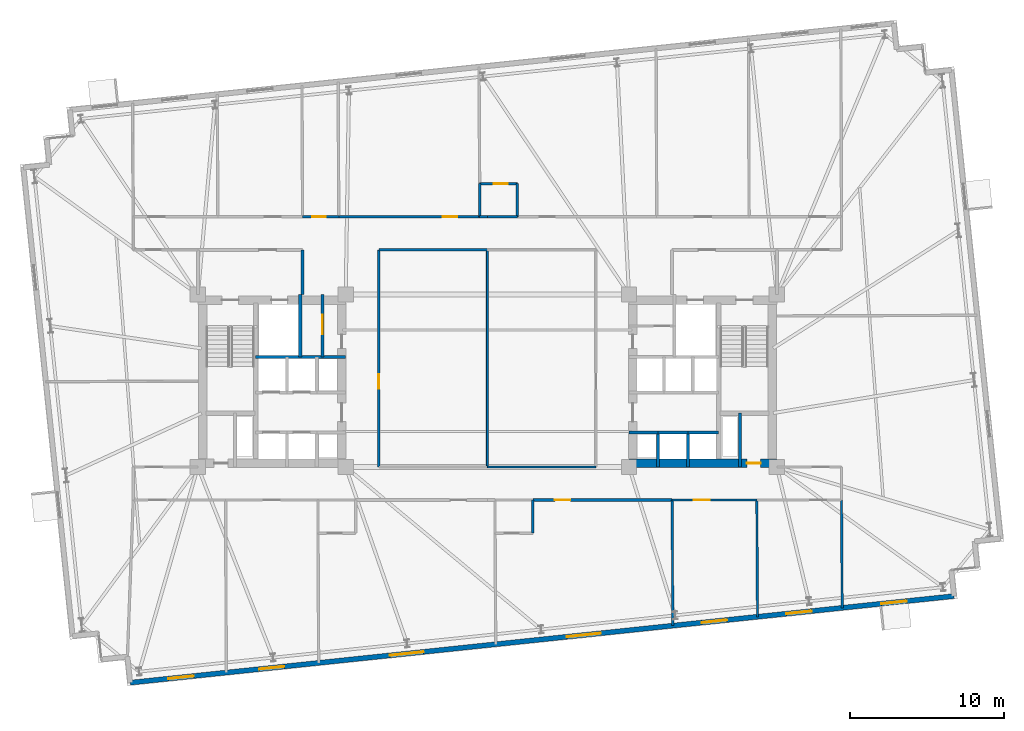
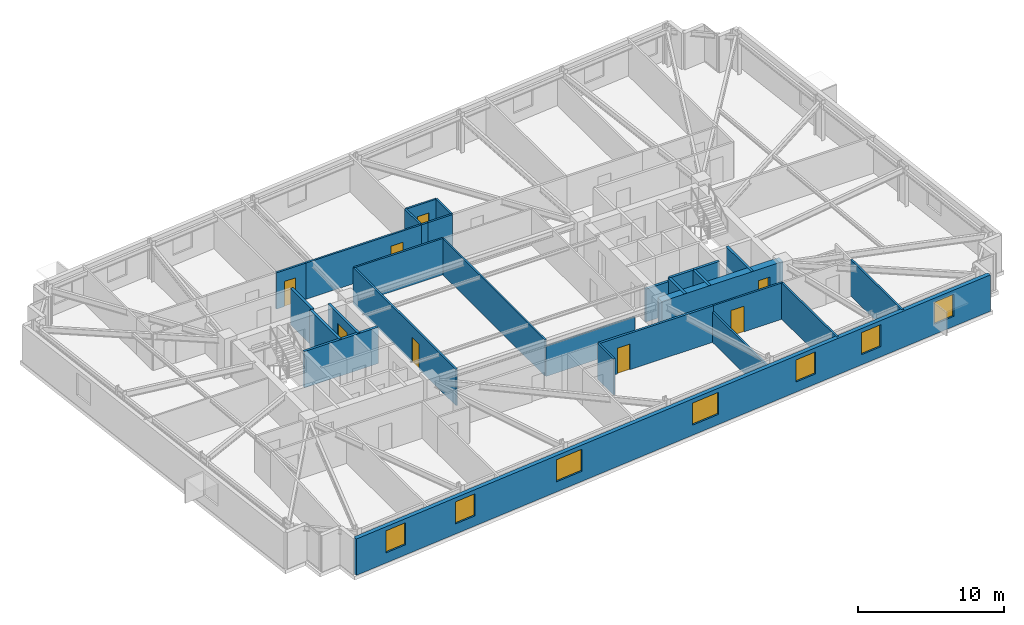
# One storey, part 13 of 17: 29 walls, 8 doors, 7 windows, 15 openings.
"""IFC4 building model written with IfcOpenShell, lengths in metres."""

from ifc_helpers import new_model, si_unit, direction, frame, frame_2d, origin, place, context, subcontext, project, spatial, rectangle, extrude, material, layer, layer_set, type_object, element, fill, save


model = new_model("IFC4")

# Units and contexts
model_context = context("Model", 3, precision=1e-05, world=origin(), true_north=direction((0.0, 1.0)))
body_context = subcontext(model_context, "Body", "Model", "MODEL_VIEW")
ifc_project = project(units=[si_unit("LENGTHUNIT", "METRE"), si_unit("AREAUNIT", "SQUARE_METRE"), si_unit("VOLUMEUNIT", "CUBIC_METRE"), si_unit("PLANEANGLEUNIT", "RADIAN"), si_unit("MASSUNIT", "GRAM", prefix="KILO")], contexts=[model_context])

# Site, building, storey
site_placement = place(None, origin())
site = spatial("IfcSite", under=ifc_project, at=site_placement, CompositionType="ELEMENT")
building_placement = place(site_placement, origin())
building = spatial("IfcBuilding", under=site, at=building_placement, Name="Qobustan Lattice House", CompositionType="ELEMENT")
storey_placement = place(building_placement, frame((0.0, 0.0, 112.5)))
storey = spatial("IfcBuildingStorey", under=building, at=storey_placement, Name="L31", CompositionType="ELEMENT", Elevation=112.5)

# Wall, opening, door
ifc_material_1 = material(Name="Concrete C60/75", Category="concrete")
ifc_layer_1 = layer(ifc_material_1, 0.56005859375)
ifc_layer_set_1 = layer_set([ifc_layer_1], Name="Concrete C60/75")
wall_type_1 = type_object("IfcWallType", Name="WAL-CORE-600", PredefinedType="SHEAR", material=ifc_layer_set_1)
wall_1_placement = place(storey_placement, frame((9.199951171875, -5.35009765625, 0.0), z_axis=(0.0, 0.0, 1.0), x_axis=(1.0, 0.0, 0.0)))
wall_1 = element("IfcWall", 1, at=wall_1_placement, inside=storey, type_object=wall_type_1, Name="L31 split-core shear wall CE-S", PredefinedType="SHEAR", context=body_context, shape_type="SweptSolid", body=[
    extrude(rectangle(XDim=9.60009765625, YDim=0.56005859375, at=frame_2d((4.800048828125, 0.0))), origin(), (0.0, 0.0, 1.0), 3.044921875),
])
opening_1_placement = place(wall_1_placement, frame((7.64990234375, 0.0, 0.0)))
opening_1 = element("IfcOpeningElement", 2, at=opening_1_placement, cuts=wall_1, Name="Opening RD-01", PredefinedType="OPENING", context=body_context, shape_type="SweptSolid", body=[
    extrude(rectangle(XDim=0.89990234375, YDim=2.10009765625, at=frame_2d((0.449951171875, 1.050048828125))), frame((0.0, 0.2900390625, 0.0), z_axis=(0.0, -1.0, 0.0), x_axis=(1.0, 0.0, 0.0)), (0.0, 0.0, 1.0), 0.580078125),
])
ifc_material_2 = material(Name="Persian walnut timber and steel frame door", Category="steel")
door_type_1 = type_object("IfcDoorType", Name="DOR-RISER-FD-900x2100", OperationType="NOTDEFINED", PredefinedType="DOOR", material=ifc_material_2)
door_1_placement = place(opening_1_placement, origin())
door_1 = element("IfcDoor", 3, at=door_1_placement, inside=storey, type_object=door_type_1, Name="L31 core service riser access door E", OperationType="SINGLE_SWING_LEFT", OverallHeight=2.10009765625, OverallWidth=0.89990234375, PredefinedType="DOOR", context=body_context, shape_type="SweptSolid", body=[
    extrude(rectangle(XDim=0.89990234375, YDim=2.10009765625, at=frame_2d((0.449951171875, 1.050048828125))), frame((0.0, 0.02490234375, 0.0), z_axis=(0.0, -1.0, 0.0), x_axis=(1.0, 0.0, 0.0)), (0.0, 0.0, 1.0), 0.050048828125),
])
fill(opening_1, door_1)

# Wall, openings, windows
ifc_material_3 = material(Name="Precast concrete C40/50", Category="concrete")
ifc_layer_2 = layer(ifc_material_3, 0.320068359375)
ifc_layer_set_2 = layer_set([ifc_layer_2], Name="Precast concrete C40/50")
wall_type_2 = type_object("IfcWallType", Name="WAL-EXT-STONE-320", PredefinedType="SOLIDWALL", material=ifc_layer_set_2)
wall_2_placement = place(storey_placement, frame((30.307373046875, -13.985595703125, 0.0), z_axis=(0.0, 0.0, 1.0), x_axis=(-0.994521628355, -0.104531003701, 0.0)))
wall_2 = element("IfcWall", 4, at=wall_2_placement, inside=storey, type_object=wall_type_2, Name="L31 exterior limestone-clad wall 20", PredefinedType="SOLIDWALL", context=body_context, shape_type="SweptSolid", body=[
    extrude(rectangle(XDim=53.800048828125, YDim=0.320068359375, at=frame_2d((26.89990234375, 0.0))), origin(), (0.0, 0.0, 1.0), 3.044921875),
])
opening_2_placement = place(wall_2_placement, frame((3.097900390625, 0.0, 0.85009765625)))
opening_2 = element("IfcOpeningElement", 5, at=opening_2_placement, cuts=wall_2, Name="Opening WN-09", PredefinedType="OPENING", context=body_context, shape_type="SweptSolid", body=[
    extrude(rectangle(XDim=1.64990234375, YDim=1.85009765625, at=frame_2d((0.824951171875, 0.925048828125))), frame((0.0, 0.169921875, 0.0), z_axis=(0.0, -1.0, 0.0), x_axis=(1.0, 0.0, 0.0)), (0.0, 0.0, 1.0), 0.340087890625),
])
opening_3_placement = place(wall_2_placement, frame((9.302490234375, 0.0, 0.85009765625)))
opening_3 = element("IfcOpeningElement", 6, at=opening_3_placement, cuts=wall_2, Name="Opening WN-09", PredefinedType="OPENING", context=body_context, shape_type="SweptSolid", body=[
    extrude(rectangle(XDim=1.64990234375, YDim=1.85009765625, at=frame_2d((0.824951171875, 0.925048828125))), frame((0.0, 0.169921875, 0.0), z_axis=(0.0, -1.0, 0.0), x_axis=(1.0, 0.0, 0.0)), (0.0, 0.0, 1.0), 0.340087890625),
])
opening_4_placement = place(wall_2_placement, frame((14.82666015625, 0.0, 0.85009765625)))
opening_4 = element("IfcOpeningElement", 7, at=opening_4_placement, cuts=wall_2, Name="Opening WN-09", PredefinedType="OPENING", context=body_context, shape_type="SweptSolid", body=[
    extrude(rectangle(XDim=1.64990234375, YDim=1.85009765625, at=frame_2d((0.824951171875, 0.925048828125))), frame((0.0, 0.169921875, 0.0), z_axis=(0.0, -1.0, 0.0), x_axis=(1.0, 0.0, 0.0)), (0.0, 0.0, 1.0), 0.340087890625),
])
opening_5_placement = place(wall_2_placement, frame((23.077880859375, 0.0, 0.85009765625)))
opening_5 = element("IfcOpeningElement", 8, at=opening_5_placement, cuts=wall_2, Name="Opening WN-03", PredefinedType="OPENING", context=body_context, shape_type="SweptSolid", body=[
    extrude(rectangle(XDim=2.199951171875, YDim=1.85009765625, at=frame_2d((1.10009765625, 0.925048828125))), frame((0.0, 0.169921875, 0.0), z_axis=(0.0, -1.0, 0.0), x_axis=(1.0, 0.0, 0.0)), (0.0, 0.0, 1.0), 0.340087890625),
])
opening_6_placement = place(wall_2_placement, frame((34.646484375, 0.0, 0.85009765625)))
opening_6 = element("IfcOpeningElement", 9, at=opening_6_placement, cuts=wall_2, Name="Opening WN-03", PredefinedType="OPENING", context=body_context, shape_type="SweptSolid", body=[
    extrude(rectangle(XDim=2.199951171875, YDim=1.85009765625, at=frame_2d((1.10009765625, 0.925048828125))), frame((0.0, 0.169921875, 0.0), z_axis=(0.0, -1.0, 0.0), x_axis=(1.0, 0.0, 0.0)), (0.0, 0.0, 1.0), 0.340087890625),
])
opening_7_placement = place(wall_2_placement, frame((43.72802734375, 0.0, 0.85009765625)))
opening_7 = element("IfcOpeningElement", 10, at=opening_7_placement, cuts=wall_2, Name="Opening WN-09", PredefinedType="OPENING", context=body_context, shape_type="SweptSolid", body=[
    extrude(rectangle(XDim=1.64990234375, YDim=1.85009765625, at=frame_2d((0.824951171875, 0.925048828125))), frame((0.0, 0.169921875, 0.0), z_axis=(0.0, -1.0, 0.0), x_axis=(1.0, 0.0, 0.0)), (0.0, 0.0, 1.0), 0.340087890625),
])
opening_8_placement = place(wall_2_placement, frame((49.652587890625, 0.0, 0.85009765625)))
opening_8 = element("IfcOpeningElement", 11, at=opening_8_placement, cuts=wall_2, Name="Opening WN-09", PredefinedType="OPENING", context=body_context, shape_type="SweptSolid", body=[
    extrude(rectangle(XDim=1.64990234375, YDim=1.85009765625, at=frame_2d((0.824951171875, 0.925048828125))), frame((0.0, 0.169921875, 0.0), z_axis=(0.0, -1.0, 0.0), x_axis=(1.0, 0.0, 0.0)), (0.0, 0.0, 1.0), 0.340087890625),
])
ifc_material_4 = material(Name="Double-glazed low-E aluminium window", Category="aluminium")
window_type_1 = type_object("IfcWindowType", Name="WIN-STU-1650x1850", PartitioningType="SINGLE_PANEL", PredefinedType="WINDOW", material=ifc_material_4)
window_1_placement = place(opening_2_placement, origin())
window_1 = element("IfcWindow", 12, at=window_1_placement, inside=storey, type_object=window_type_1, Name="L31 Fellows reading room window", OverallHeight=1.85009765625, OverallWidth=1.64990234375, PartitioningType="SINGLE_PANEL", PredefinedType="WINDOW", context=body_context, shape_type="SweptSolid", body=[
    extrude(rectangle(XDim=1.64990234375, YDim=1.85009765625, at=frame_2d((0.824951171875, 0.925048828125))), frame((0.0, 0.030029296875, 0.0), z_axis=(0.0, -1.0, 0.0), x_axis=(1.0, 0.0, 0.0)), (0.0, 0.0, 1.0), 0.06005859375),
])
fill(opening_2, window_1)
window_2_placement = place(opening_3_placement, origin())
window_2 = element("IfcWindow", 13, at=window_2_placement, inside=storey, type_object=window_type_1, Name="L31 Academic seminar room window", OverallHeight=1.85009765625, OverallWidth=1.64990234375, PartitioningType="SINGLE_PANEL", PredefinedType="WINDOW", context=body_context, shape_type="SweptSolid", body=[
    extrude(rectangle(XDim=1.64990234375, YDim=1.85009765625, at=frame_2d((0.824951171875, 0.925048828125))), frame((0.0, 0.030029296875, 0.0), z_axis=(0.0, -1.0, 0.0), x_axis=(1.0, 0.0, 0.0)), (0.0, 0.0, 1.0), 0.06005859375),
])
fill(opening_3, window_2)
window_3_placement = place(opening_4_placement, origin())
window_3 = element("IfcWindow", 14, at=window_3_placement, inside=storey, type_object=window_type_1, Name="L31 Group study room window", OverallHeight=1.85009765625, OverallWidth=1.64990234375, PartitioningType="SINGLE_PANEL", PredefinedType="WINDOW", context=body_context, shape_type="SweptSolid", body=[
    extrude(rectangle(XDim=1.64990234375, YDim=1.85009765625, at=frame_2d((0.824951171875, 0.925048828125))), frame((0.0, 0.030029296875, 0.0), z_axis=(0.0, -1.0, 0.0), x_axis=(1.0, 0.0, 0.0)), (0.0, 0.0, 1.0), 0.06005859375),
])
fill(opening_4, window_3)
window_4_placement = place(opening_7_placement, origin())
window_4 = element("IfcWindow", 15, at=window_4_placement, inside=storey, type_object=window_type_1, Name="L31 Focus study room S1B window", OverallHeight=1.85009765625, OverallWidth=1.64990234375, PartitioningType="SINGLE_PANEL", PredefinedType="WINDOW", context=body_context, shape_type="SweptSolid", body=[
    extrude(rectangle(XDim=1.64990234375, YDim=1.85009765625, at=frame_2d((0.824951171875, 0.925048828125))), frame((0.0, 0.030029296875, 0.0), z_axis=(0.0, -1.0, 0.0), x_axis=(1.0, 0.0, 0.0)), (0.0, 0.0, 1.0), 0.06005859375),
])
fill(opening_7, window_4)
window_5_placement = place(opening_8_placement, origin())
window_5 = element("IfcWindow", 16, at=window_5_placement, inside=storey, type_object=window_type_1, Name="L31 Focus study room S1A window", OverallHeight=1.85009765625, OverallWidth=1.64990234375, PartitioningType="SINGLE_PANEL", PredefinedType="WINDOW", context=body_context, shape_type="SweptSolid", body=[
    extrude(rectangle(XDim=1.64990234375, YDim=1.85009765625, at=frame_2d((0.824951171875, 0.925048828125))), frame((0.0, 0.030029296875, 0.0), z_axis=(0.0, -1.0, 0.0), x_axis=(1.0, 0.0, 0.0)), (0.0, 0.0, 1.0), 0.06005859375),
])
fill(opening_8, window_5)
ifc_material_5 = material(Name="Double-glazed low-E aluminium window", Category="aluminium")
window_type_2 = type_object("IfcWindowType", Name="WIN-WIDE-2200x1850", PartitioningType="SINGLE_PANEL", PredefinedType="WINDOW", material=ifc_material_5)
window_6_placement = place(opening_5_placement, origin())
window_6 = element("IfcWindow", 17, at=window_6_placement, inside=storey, type_object=window_type_2, Name="L31 Kitchenette and studio apartment L31-S3 window", OverallHeight=1.85009765625, OverallWidth=2.199951171875, PartitioningType="SINGLE_PANEL", PredefinedType="WINDOW", context=body_context, shape_type="SweptSolid", body=[
    extrude(rectangle(XDim=2.199951171875, YDim=1.85009765625, at=frame_2d((1.10009765625, 0.925048828125))), frame((0.0, 0.030029296875, 0.0), z_axis=(0.0, -1.0, 0.0), x_axis=(1.0, 0.0, 0.0)), (0.0, 0.0, 1.0), 0.06005859375),
])
fill(opening_5, window_6)
window_7_placement = place(opening_6_placement, origin())
window_7 = element("IfcWindow", 18, at=window_7_placement, inside=storey, type_object=window_type_2, Name="L31 Kitchenette and studio apartment L31-S2 window", OverallHeight=1.85009765625, OverallWidth=2.199951171875, PartitioningType="SINGLE_PANEL", PredefinedType="WINDOW", context=body_context, shape_type="SweptSolid", body=[
    extrude(rectangle(XDim=2.199951171875, YDim=1.85009765625, at=frame_2d((1.10009765625, 0.925048828125))), frame((0.0, 0.030029296875, 0.0), z_axis=(0.0, -1.0, 0.0), x_axis=(1.0, 0.0, 0.0)), (0.0, 0.0, 1.0), 0.06005859375),
])
fill(opening_6, window_7)

# Wall, opening, door
ifc_material_6 = material(Name="Gypsum fireboard acoustic partition", Category="gypsum")
ifc_layer_3 = layer(ifc_material_6, 0.179931640625)
ifc_layer_set_3 = layer_set([ifc_layer_3], Name="Gypsum fireboard acoustic partition")
wall_type_3 = type_object("IfcWallType", Name="WAL-FIRE-180", PredefinedType="PARTITIONING", material=ifc_layer_set_3)
wall_3_placement = place(storey_placement, frame((-10.699951171875, 5.60009765625, 0.0), z_axis=(0.0, 0.0, 1.0), x_axis=(0.0, -1.0, 0.0)))
wall_3 = element("IfcWall", 19, at=wall_3_placement, inside=storey, type_object=wall_type_3, Name="L31 interior partition 6", PredefinedType="PARTITIONING", context=body_context, shape_type="SweptSolid", body=[
    extrude(rectangle(XDim=4.050048828125, YDim=0.179931640625, at=frame_2d((2.02490234375, 0.0))), origin(), (0.0, 0.0, 1.0), 3.044921875),
])
opening_9_placement = place(wall_3_placement, frame((1.324951171875, 0.0, 0.0)))
opening_9 = element("IfcOpeningElement", 20, at=opening_9_placement, cuts=wall_3, Name="Opening FD-03", PredefinedType="OPENING", context=body_context, shape_type="SweptSolid", body=[
    extrude(rectangle(XDim=1.25, YDim=2.199951171875, at=frame_2d((0.625, 1.10009765625))), frame((0.0, 0.099853515625, 0.0), z_axis=(0.0, -1.0, 0.0), x_axis=(1.0, 0.0, 0.0)), (0.0, 0.0, 1.0), 0.199951171875),
])
ifc_material_7 = material(Name="Persian walnut timber and steel frame door", Category="steel")
door_type_2 = type_object("IfcDoorType", Name="DOR-PLANT-1250x2200", OperationType="NOTDEFINED", PredefinedType="DOOR", material=ifc_material_7)
door_2_placement = place(opening_9_placement, origin())
door_2 = element("IfcDoor", 21, at=door_2_placement, inside=storey, type_object=door_type_2, Name="L31 Data comms closet to Linen store door", OperationType="SINGLE_SWING_LEFT", OverallHeight=2.199951171875, OverallWidth=1.25, PredefinedType="DOOR", context=body_context, shape_type="SweptSolid", body=[
    extrude(rectangle(XDim=1.25, YDim=2.199951171875, at=frame_2d((0.625, 1.10009765625))), frame((0.0, 0.02490234375, 0.0), z_axis=(0.0, -1.0, 0.0), x_axis=(1.0, 0.0, 0.0)), (0.0, 0.0, 1.0), 0.050048828125),
])
fill(opening_9, door_2)

wall_4_placement = place(storey_placement, frame((12.0, -7.75, 0.0), z_axis=(0.0, 0.0, 1.0), x_axis=(-1.0, 0.0, 0.0)))
wall_4 = element("IfcWall", 22, at=wall_4_placement, inside=storey, type_object=wall_type_3, Name="L31 interior partition 63", PredefinedType="PARTITIONING", context=body_context, shape_type="SweptSolid", body=[
    extrude(rectangle(XDim=9.050048828125, YDim=0.179931640625, at=frame_2d((4.52490234375, 0.0))), origin(), (0.0, 0.0, 1.0), 3.044921875),
])
opening_10_placement = place(wall_4_placement, frame((6.60888671875, 0.0, 0.0)))
opening_10 = element("IfcOpeningElement", 23, at=opening_10_placement, cuts=wall_4, Name="Opening FD-02", PredefinedType="OPENING", context=body_context, shape_type="SweptSolid", body=[
    extrude(rectangle(XDim=1.0, YDim=2.14990234375, at=frame_2d((0.5, 1.074951171875))), frame((0.0, 0.099853515625, 0.0), z_axis=(0.0, -1.0, 0.0), x_axis=(1.0, 0.0, 0.0)), (0.0, 0.0, 1.0), 0.199951171875),
])
ifc_material_8 = material(Name="Persian walnut timber and steel frame door", Category="steel")
door_type_3 = type_object("IfcDoorType", Name="DOR-UNIT-FD-1000x2150", OperationType="NOTDEFINED", PredefinedType="DOOR", material=ifc_material_8)
door_3_placement = place(opening_10_placement, origin())
door_3 = element("IfcDoor", 24, at=door_3_placement, inside=storey, type_object=door_type_3, Name="L31 South-east floor corridor to Kitchenette and studio apartment L31-S3 door", OperationType="SINGLE_SWING_RIGHT", OverallHeight=2.14990234375, OverallWidth=1.0, PredefinedType="DOOR", context=body_context, shape_type="SweptSolid", body=[
    extrude(rectangle(XDim=1.0, YDim=2.14990234375, at=frame_2d((0.5, 1.074951171875))), frame((0.0, 0.02490234375, 0.0), z_axis=(0.0, -1.0, 0.0), x_axis=(1.0, 0.0, 0.0)), (0.0, 0.0, 1.0), 0.050048828125),
])
fill(opening_10, door_3)

# Walls
ifc_material_9 = material(Name="Lightweight acoustic stud partition", Category="gypsum")
ifc_layer_4 = layer(ifc_material_9, 0.125)
ifc_layer_set_4 = layer_set([ifc_layer_4], Name="Lightweight acoustic stud partition")
wall_type_4 = type_object("IfcWallType", Name="WAL-PART-125", PredefinedType="PARTITIONING", material=ifc_layer_set_4)
wall_5_placement = place(storey_placement, frame((0.0, -5.60009765625, 0.0), z_axis=(0.0, 0.0, 1.0), x_axis=(1.0, 0.0, 0.0)))
element("IfcWall", 25, at=wall_5_placement, inside=storey, type_object=wall_type_4, Name="L31 interior partition 67", PredefinedType="PARTITIONING", context=body_context, shape_type="SweptSolid", body=[
    extrude(rectangle(XDim=7.050048828125, YDim=0.125, at=frame_2d((3.52490234375, 0.0))), origin(), (0.0, 0.0, 1.0), 2.530029296875),
])
wall_6_placement = place(storey_placement, frame((0.0, 8.5, 0.0), z_axis=(0.0, 0.0, 1.0), x_axis=(0.0, -1.0, 0.0)))
element("IfcWall", 26, at=wall_6_placement, inside=storey, type_object=wall_type_4, Name="L31 interior partition 96", PredefinedType="PARTITIONING", context=body_context, shape_type="SweptSolid", body=[
    extrude(rectangle(XDim=14.10009765625, YDim=0.125, at=frame_2d((7.050048828125, 0.0))), origin(), (0.0, 0.0, 1.0), 3.044921875),
])

# Wall, opening, door
ifc_material_10 = material(Name="Acoustic twin-stud gypsum partition", Category="gypsum")
ifc_layer_5 = layer(ifc_material_10, 0.14990234375)
ifc_layer_set_5 = layer_set([ifc_layer_5], Name="Acoustic twin-stud gypsum partition")
wall_type_5 = type_object("IfcWallType", Name="WAL-PART-150", PredefinedType="PARTITIONING", material=ifc_layer_set_5)
wall_7_placement = place(storey_placement, frame((-9.64990234375, 10.64990234375, 0.0), z_axis=(0.0, 0.0, 1.0), x_axis=(1.0, 0.0, 0.0)))
wall_7 = element("IfcWall", 27, at=wall_7_placement, inside=storey, type_object=wall_type_5, Name="L31 interior partition 43", PredefinedType="PARTITIONING", context=body_context, shape_type="SweptSolid", body=[
    extrude(rectangle(XDim=9.14990234375, YDim=0.14990234375, at=frame_2d((4.574951171875, 0.0))), origin(), (0.0, 0.0, 1.0), 3.044921875),
])
opening_11_placement = place(wall_7_placement, frame((6.739990234375, 0.0, 0.0)))
opening_11 = element("IfcOpeningElement", 28, at=opening_11_placement, cuts=wall_7, Name="Opening ID-01", PredefinedType="OPENING", context=body_context, shape_type="SweptSolid", body=[
    extrude(rectangle(XDim=0.949951171875, YDim=2.10009765625, at=frame_2d((0.47509765625, 1.050048828125))), frame((0.0, 0.0849609375, 0.0), z_axis=(0.0, -1.0, 0.0), x_axis=(1.0, 0.0, 0.0)), (0.0, 0.0, 1.0), 0.169921875),
])
ifc_material_11 = material(Name="Persian walnut timber and steel frame door", Category="steel")
door_type_4 = type_object("IfcDoorType", Name="DOR-ROOM-950x2100", OperationType="NOTDEFINED", PredefinedType="DOOR", material=ifc_material_11)
door_4_placement = place(opening_11_placement, origin())
door_4 = element("IfcDoor", 29, at=door_4_placement, inside=storey, type_object=door_type_4, Name="L31 North-west floor corridor to Laundry utility room door", OperationType="SINGLE_SWING_RIGHT", OverallHeight=2.10009765625, OverallWidth=0.949951171875, PredefinedType="DOOR", context=body_context, shape_type="SweptSolid", body=[
    extrude(rectangle(XDim=0.949951171875, YDim=2.10009765625, at=frame_2d((0.47509765625, 1.050048828125))), frame((0.0, 0.02490234375, 0.0), z_axis=(0.0, -1.0, 0.0), x_axis=(1.0, 0.0, 0.0)), (0.0, 0.0, 1.0), 0.050048828125),
])
fill(opening_11, door_4)

# Wall
wall_8_placement = place(storey_placement, frame((0.0, 8.5, 0.0), z_axis=(0.0, 0.0, 1.0), x_axis=(-1.0, 0.0, 0.0)))
element("IfcWall", 30, at=wall_8_placement, inside=storey, type_object=wall_type_5, Name="L31 interior partition 45", PredefinedType="PARTITIONING", context=body_context, shape_type="SweptSolid", body=[
    extrude(rectangle(XDim=7.050048828125, YDim=0.14990234375, at=frame_2d((3.52490234375, 0.0))), origin(), (0.0, 0.0, 1.0), 3.044921875),
])

# Wall, opening, door
wall_9_placement = place(storey_placement, frame((17.5, -7.75, 0.0), z_axis=(0.0, 0.0, 1.0), x_axis=(-1.0, 0.0, 0.0)))
wall_9 = element("IfcWall", 31, at=wall_9_placement, inside=storey, type_object=wall_type_5, Name="L31 interior partition 65", PredefinedType="PARTITIONING", context=body_context, shape_type="SweptSolid", body=[
    extrude(rectangle(XDim=5.5, YDim=0.14990234375, at=frame_2d((2.75, 0.0))), origin(), (0.0, 0.0, 1.0), 3.044921875),
])
opening_12_placement = place(wall_9_placement, frame((3.047607421875, 0.0, 0.0)))
opening_12 = element("IfcOpeningElement", 32, at=opening_12_placement, cuts=wall_9, Name="Opening ID-02", PredefinedType="OPENING", context=body_context, shape_type="SweptSolid", body=[
    extrude(rectangle(XDim=1.050048828125, YDim=2.14990234375, at=frame_2d((0.52490234375, 1.074951171875))), frame((0.0, 0.0849609375, 0.0), z_axis=(0.0, -1.0, 0.0), x_axis=(1.0, 0.0, 0.0)), (0.0, 0.0, 1.0), 0.169921875),
])
ifc_material_12 = material(Name="Persian walnut timber and steel frame door", Category="steel")
door_type_5 = type_object("IfcDoorType", Name="DOR-STUDY-1050x2150", OperationType="NOTDEFINED", PredefinedType="DOOR", material=ifc_material_12)
door_5_placement = place(opening_12_placement, origin())
door_5 = element("IfcDoor", 33, at=door_5_placement, inside=storey, type_object=door_type_5, Name="L31 South-east floor corridor to Group study room door", OperationType="SINGLE_SWING_LEFT", OverallHeight=2.14990234375, OverallWidth=1.050048828125, PredefinedType="DOOR", context=body_context, shape_type="SweptSolid", body=[
    extrude(rectangle(XDim=1.050048828125, YDim=2.14990234375, at=frame_2d((0.52490234375, 1.074951171875))), frame((0.0, 0.02490234375, 0.0), z_axis=(0.0, -1.0, 0.0), x_axis=(1.0, 0.0, 0.0)), (0.0, 0.0, 1.0), 0.050048828125),
])
fill(opening_12, door_5)

wall_10_placement = place(storey_placement, frame((-7.050048828125, 8.5, 0.0), z_axis=(0.0, 0.0, 1.0), x_axis=(0.0, -1.0, 0.0)))
wall_10 = element("IfcWall", 34, at=wall_10_placement, inside=storey, type_object=wall_type_5, Name="L31 interior partition 68", PredefinedType="PARTITIONING", context=body_context, shape_type="SweptSolid", body=[
    extrude(rectangle(XDim=14.10009765625, YDim=0.14990234375, at=frame_2d((7.050048828125, 0.0))), origin(), (0.0, 0.0, 1.0), 3.044921875),
])
opening_13_placement = place(wall_10_placement, frame((8.07373046875, 0.0, 0.0)))
opening_13 = element("IfcOpeningElement", 35, at=opening_13_placement, cuts=wall_10, Name="Opening ID-01", PredefinedType="OPENING", context=body_context, shape_type="SweptSolid", body=[
    extrude(rectangle(XDim=0.949951171875, YDim=2.10009765625, at=frame_2d((0.47509765625, 1.050048828125))), frame((0.0, 0.0849609375, 0.0), z_axis=(0.0, -1.0, 0.0), x_axis=(1.0, 0.0, 0.0)), (0.0, 0.0, 1.0), 0.169921875),
])
door_6_placement = place(opening_13_placement, origin())
door_6 = element("IfcDoor", 36, at=door_6_placement, inside=storey, type_object=door_type_4, Name="L31 West floor link corridor to Design studio workspace door", OperationType="SINGLE_SWING_LEFT", OverallHeight=2.10009765625, OverallWidth=0.949951171875, PredefinedType="DOOR", context=body_context, shape_type="SweptSolid", body=[
    extrude(rectangle(XDim=0.949951171875, YDim=2.10009765625, at=frame_2d((0.47509765625, 1.050048828125))), frame((0.0, 0.02490234375, 0.0), z_axis=(0.0, -1.0, 0.0), x_axis=(1.0, 0.0, 0.0)), (0.0, 0.0, 1.0), 0.050048828125),
])
fill(opening_13, door_6)

# Walls
wall_11_placement = place(storey_placement, frame((23.0439453125, -14.7490234375, 0.0), z_axis=(0.0, 0.0, 1.0), x_axis=(-0.006278653971, 0.999980289058, 0.0)))
element("IfcWall", 37, at=wall_11_placement, inside=storey, type_object=wall_type_5, Name="L31 interior partition 74", PredefinedType="PARTITIONING", context=body_context, shape_type="SweptSolid", body=[
    extrude(rectangle(XDim=6.999267578125, YDim=0.14990234375, at=frame_2d((3.49951171875, 0.0))), origin(), (0.0, 0.0, 1.0), 3.044921875),
])
wall_12_placement = place(storey_placement, frame((12.0, -7.75, 0.0), z_axis=(0.0, 0.0, 1.0), x_axis=(0.005388497987, -0.999985481939, 0.0)))
element("IfcWall", 38, at=wall_12_placement, inside=storey, type_object=wall_type_5, Name="L31 interior partition 94", PredefinedType="PARTITIONING", context=body_context, shape_type="SweptSolid", body=[
    extrude(rectangle(XDim=8.1552734375, YDim=0.14990234375, at=frame_2d((4.07763671875, 0.0))), origin(), (0.0, 0.0, 1.0), 2.530029296875),
])
wall_13_placement = place(storey_placement, frame((17.5, -7.75, 0.0), z_axis=(0.0, 0.0, 1.0), x_axis=(0.005799618919, -0.999983182069, 0.0)))
element("IfcWall", 39, at=wall_13_placement, inside=storey, type_object=wall_type_5, Name="L31 interior partition 95", PredefinedType="PARTITIONING", context=body_context, shape_type="SweptSolid", body=[
    extrude(rectangle(XDim=7.577392578125, YDim=0.14990234375, at=frame_2d((3.78857421875, 0.0))), origin(), (0.0, 0.0, 1.0), 3.044921875),
])
ifc_material_13 = material(Name="Two-hour gypsum fireboard acoustic partition", Category="gypsum")
ifc_layer_6 = layer(ifc_material_13, 0.199951171875)
ifc_layer_set_6 = layer_set([ifc_layer_6], Name="Two-hour gypsum fireboard acoustic partition")
wall_type_6 = type_object("IfcWallType", Name="WAL-PROT-200", PredefinedType="PARTITIONING", material=ifc_layer_set_6)
wall_14_placement = place(storey_placement, frame((-12.0, 5.60009765625, 0.0), z_axis=(0.0, 0.0, 1.0), x_axis=(0.0, 1.0, 0.0)))
element("IfcWall", 40, at=wall_14_placement, inside=storey, type_object=wall_type_6, Name="L31 interior partition 4", PredefinedType="PARTITIONING", context=body_context, shape_type="SweptSolid", body=[
    extrude(rectangle(XDim=2.89990234375, YDim=0.199951171875, at=frame_2d((1.449951171875, 0.0))), origin(), (0.0, 0.0, 1.0), 3.044921875),
])
ifc_material_14 = material(Name="Concrete C40/50", Category="concrete")
ifc_layer_7 = layer(ifc_material_14, 0.199951171875)
ifc_layer_set_7 = layer_set([ifc_layer_7], Name="Concrete C40/50")
wall_type_7 = type_object("IfcWallType", Name="WAL-SHAFT-200", PredefinedType="PARTITIONING", material=ifc_layer_set_7)
wall_15_placement = place(storey_placement, frame((-12.14990234375, 1.550048828125, 0.0), z_axis=(0.0, 0.0, 1.0), x_axis=(0.0, 1.0, 0.0)))
element("IfcWall", 41, at=wall_15_placement, inside=storey, type_object=wall_type_7, Name="L31 interior partition 2", PredefinedType="PARTITIONING", context=body_context, shape_type="SweptSolid", body=[
    extrude(rectangle(XDim=4.050048828125, YDim=0.199951171875, at=frame_2d((2.02490234375, 0.0))), origin(), (0.0, 0.0, 1.0), 3.044921875),
])
wall_16_placement = place(storey_placement, frame((16.39990234375, -2.110107421875, 0.0), z_axis=(0.0, 0.0, 1.0), x_axis=(0.0, -1.0, 0.0)))
element("IfcWall", 42, at=wall_16_placement, inside=storey, type_object=wall_type_7, Name="L31 interior partition 19", PredefinedType="PARTITIONING", context=body_context, shape_type="SweptSolid", body=[
    extrude(rectangle(XDim=3.489990234375, YDim=0.199951171875, at=frame_2d((1.7451171875, 0.0))), origin(), (0.0, 0.0, 1.0), 3.044921875),
])
wall_17_placement = place(storey_placement, frame((9.199951171875, -3.35009765625, 0.0), z_axis=(0.0, 0.0, 1.0), x_axis=(1.0, 0.0, 0.0)))
element("IfcWall", 43, at=wall_17_placement, inside=storey, type_object=wall_type_7, Name="L31 interior partition 27", PredefinedType="PARTITIONING", context=body_context, shape_type="SweptSolid", body=[
    extrude(rectangle(XDim=1.880126953125, YDim=0.199951171875, at=frame_2d((0.93994140625, 0.0))), origin(), (0.0, 0.0, 1.0), 2.760009765625),
])
wall_18_placement = place(storey_placement, frame((11.080078125, -3.35009765625, 0.0), z_axis=(0.0, 0.0, 1.0), x_axis=(1.0, 0.0, 0.0)))
element("IfcWall", 44, at=wall_18_placement, inside=storey, type_object=wall_type_7, Name="L31 interior partition 28", PredefinedType="PARTITIONING", context=body_context, shape_type="SweptSolid", body=[
    extrude(rectangle(XDim=1.93994140625, YDim=0.199951171875, at=frame_2d((0.969970703125, 0.0))), origin(), (0.0, 0.0, 1.0), 3.044921875),
])
wall_19_placement = place(storey_placement, frame((13.02001953125, -3.35009765625, 0.0), z_axis=(0.0, 0.0, 1.0), x_axis=(1.0, 0.0, 0.0)))
element("IfcWall", 45, at=wall_19_placement, inside=storey, type_object=wall_type_7, Name="L31 interior partition 29", PredefinedType="PARTITIONING", context=body_context, shape_type="SweptSolid", body=[
    extrude(rectangle(XDim=2.0, YDim=0.199951171875, at=frame_2d((1.0, 0.0))), origin(), (0.0, 0.0, 1.0), 3.044921875),
])
for number, where, z_axis, x_axis, name in (
    (46, (11.080078125, -5.60009765625, 0.0), (0.0, 0.0, 1.0), (0.0, 1.0, 0.0), "L31 interior partition 34"),
    (47, (13.02001953125, -5.60009765625, 0.0), (0.0, 0.0, 1.0), (0.0, 1.0, 0.0), "L31 interior partition 35"),
):
    element("IfcWall", number, at=place(storey_placement, frame(where, z_axis=z_axis, x_axis=x_axis)), inside=storey, type_object=wall_type_7, Name=name, PredefinedType="PARTITIONING", context=body_context, shape_type="SweptSolid", body=[
        extrude(rectangle(XDim=2.25, YDim=0.199951171875, at=frame_2d((1.125, 0.0))), origin(), (0.0, 0.0, 1.0), 3.044921875),
    ])
wall_20_placement = place(storey_placement, frame((-15.050048828125, 1.550048828125, 0.0), z_axis=(0.0, 0.0, 1.0), x_axis=(1.0, 0.0, 0.0)))
element("IfcWall", 48, at=wall_20_placement, inside=storey, type_object=wall_type_7, Name="L31 interior partition 97", PredefinedType="PARTITIONING", context=body_context, shape_type="SweptSolid", body=[
    extrude(rectangle(XDim=5.85009765625, YDim=0.199951171875, at=frame_2d((2.925048828125, 0.0))), origin(), (0.0, 0.0, 1.0), 3.044921875),
])

# Wall, opening, door
ifc_material_15 = material(Name="Moisture-resistant acoustic plumbing wall", Category="gypsum")
ifc_layer_8 = layer(ifc_material_15, 0.14990234375)
ifc_layer_set_8 = layer_set([ifc_layer_8], Name="Moisture-resistant acoustic plumbing wall")
wall_type_8 = type_object("IfcWallType", Name="WAL-WET-150", PredefinedType="PLUMBINGWALL", material=ifc_layer_set_8)
wall_21_placement = place(storey_placement, frame((-12.0, 10.64990234375, 0.0), z_axis=(0.0, 0.0, 1.0), x_axis=(1.0, 0.0, 0.0)))
wall_21 = element("IfcWall", 49, at=wall_21_placement, inside=storey, type_object=wall_type_8, Name="L31 interior partition 42", PredefinedType="PLUMBINGWALL", context=body_context, shape_type="SweptSolid", body=[
    extrude(rectangle(XDim=2.35009765625, YDim=0.14990234375, at=frame_2d((1.175048828125, 0.0))), origin(), (0.0, 0.0, 1.0), 3.044921875),
])
opening_14_placement = place(wall_21_placement, frame((0.6162109375, 0.0, 0.0)))
opening_14 = element("IfcOpeningElement", 50, at=opening_14_placement, cuts=wall_21, Name="Opening WD-01", PredefinedType="OPENING", context=body_context, shape_type="SweptSolid", body=[
    extrude(rectangle(XDim=0.89990234375, YDim=2.10009765625, at=frame_2d((0.449951171875, 1.050048828125))), frame((0.0, 0.0849609375, 0.0), z_axis=(0.0, -1.0, 0.0), x_axis=(1.0, 0.0, 0.0)), (0.0, 0.0, 1.0), 0.169921875),
])
ifc_material_16 = material(Name="Persian walnut timber and steel frame door", Category="steel")
door_type_6 = type_object("IfcDoorType", Name="DOR-WET-900x2100", OperationType="NOTDEFINED", PredefinedType="DOOR", material=ifc_material_16)
door_7_placement = place(opening_14_placement, origin())
door_7 = element("IfcDoor", 51, at=door_7_placement, inside=storey, type_object=door_type_6, Name="L31 North-west floor corridor to Accessible WC door", OperationType="SINGLE_SWING_LEFT", OverallHeight=2.10009765625, OverallWidth=0.89990234375, PredefinedType="DOOR", context=body_context, shape_type="SweptSolid", body=[
    extrude(rectangle(XDim=0.89990234375, YDim=2.10009765625, at=frame_2d((0.449951171875, 1.050048828125))), frame((0.0, 0.02490234375, 0.0), z_axis=(0.0, -1.0, 0.0), x_axis=(1.0, 0.0, 0.0)), (0.0, 0.0, 1.0), 0.050048828125),
])
fill(opening_14, door_7)

# Walls
wall_22_placement = place(storey_placement, frame((-0.5, 10.64990234375, 0.0), z_axis=(0.0, 0.0, 1.0), x_axis=(1.0, 0.0, 0.0)))
element("IfcWall", 52, at=wall_22_placement, inside=storey, type_object=wall_type_8, Name="L31 interior partition 44", PredefinedType="PLUMBINGWALL", context=body_context, shape_type="SweptSolid", body=[
    extrude(rectangle(XDim=0.5, YDim=0.14990234375, at=frame_2d((0.25, 0.0))), origin(), (0.0, 0.0, 1.0), 3.044921875),
])
wall_23_placement = place(storey_placement, frame((0.0, 10.64990234375, 0.0), z_axis=(0.0, 0.0, 1.0), x_axis=(1.0, 0.0, 0.0)))
element("IfcWall", 53, at=wall_23_placement, inside=storey, type_object=wall_type_8, Name="L31 interior partition 49", PredefinedType="PLUMBINGWALL", context=body_context, shape_type="SweptSolid", body=[
    extrude(rectangle(XDim=1.949951171875, YDim=0.14990234375, at=frame_2d((0.97509765625, 0.0))), origin(), (0.0, 0.0, 1.0), 3.044921875),
])
wall_24_placement = place(storey_placement, frame((-0.5, 12.800048828125, 0.0), z_axis=(0.0, 0.0, 1.0), x_axis=(0.0, -1.0, 0.0)))
element("IfcWall", 54, at=wall_24_placement, inside=storey, type_object=wall_type_8, Name="L31 interior partition 80", PredefinedType="PLUMBINGWALL", context=body_context, shape_type="SweptSolid", body=[
    extrude(rectangle(XDim=2.150146484375, YDim=0.14990234375, at=frame_2d((1.0751953125, 0.0))), origin(), (0.0, 0.0, 1.0), 3.044921875),
])

# Wall, opening, door
wall_25_placement = place(storey_placement, frame((1.949951171875, 12.800048828125, 0.0), z_axis=(0.0, 0.0, 1.0), x_axis=(-1.0, 0.0, 0.0)))
wall_25 = element("IfcWall", 55, at=wall_25_placement, inside=storey, type_object=wall_type_8, Name="L31 interior partition 81", PredefinedType="PLUMBINGWALL", context=body_context, shape_type="SweptSolid", body=[
    extrude(rectangle(XDim=2.449951171875, YDim=0.14990234375, at=frame_2d((1.22509765625, 0.0))), origin(), (0.0, 0.0, 1.0), 3.044921875),
])
opening_15_placement = place(wall_25_placement, frame((0.62890625, 0.0, 0.0)))
opening_15 = element("IfcOpeningElement", 56, at=opening_15_placement, cuts=wall_25, Name="Opening WD-01", PredefinedType="OPENING", context=body_context, shape_type="SweptSolid", body=[
    extrude(rectangle(XDim=0.89990234375, YDim=2.10009765625, at=frame_2d((0.449951171875, 1.050048828125))), frame((0.0, 0.0849609375, 0.0), z_axis=(0.0, -1.0, 0.0), x_axis=(1.0, 0.0, 0.0)), (0.0, 0.0, 1.0), 0.169921875),
])
door_8_placement = place(opening_15_placement, origin())
door_8 = element("IfcDoor", 57, at=door_8_placement, inside=storey, type_object=door_type_6, Name="L31 Kitchenette and studio apartment L31-N3 to En-suite bathroom L31-N3 door", OperationType="SINGLE_SWING_LEFT", OverallHeight=2.10009765625, OverallWidth=0.89990234375, PredefinedType="DOOR", context=body_context, shape_type="SweptSolid", body=[
    extrude(rectangle(XDim=0.89990234375, YDim=2.10009765625, at=frame_2d((0.449951171875, 1.050048828125))), frame((0.0, 0.02490234375, 0.0), z_axis=(0.0, -1.0, 0.0), x_axis=(1.0, 0.0, 0.0)), (0.0, 0.0, 1.0), 0.050048828125),
])
fill(opening_15, door_8)

# Walls
wall_26_placement = place(storey_placement, frame((1.949951171875, 10.64990234375, 0.0), z_axis=(0.0, 0.0, 1.0), x_axis=(0.0, 1.0, 0.0)))
element("IfcWall", 58, at=wall_26_placement, inside=storey, type_object=wall_type_8, Name="L31 interior partition 82", PredefinedType="PLUMBINGWALL", context=body_context, shape_type="SweptSolid", body=[
    extrude(rectangle(XDim=2.150146484375, YDim=0.14990234375, at=frame_2d((1.0751953125, 0.0))), origin(), (0.0, 0.0, 1.0), 3.044921875),
])
wall_27_placement = place(storey_placement, frame((2.949951171875, -9.89990234375, 0.0), z_axis=(0.0, 0.0, 1.0), x_axis=(0.0, 1.0, 0.0)))
element("IfcWall", 59, at=wall_27_placement, inside=storey, type_object=wall_type_8, Name="L31 interior partition 93", PredefinedType="PLUMBINGWALL", context=body_context, shape_type="SweptSolid", body=[
    extrude(rectangle(XDim=2.14990234375, YDim=0.14990234375, at=frame_2d((1.074951171875, 0.0))), origin(), (0.0, 0.0, 1.0), 3.044921875),
])

save(model, "model.ifc")
